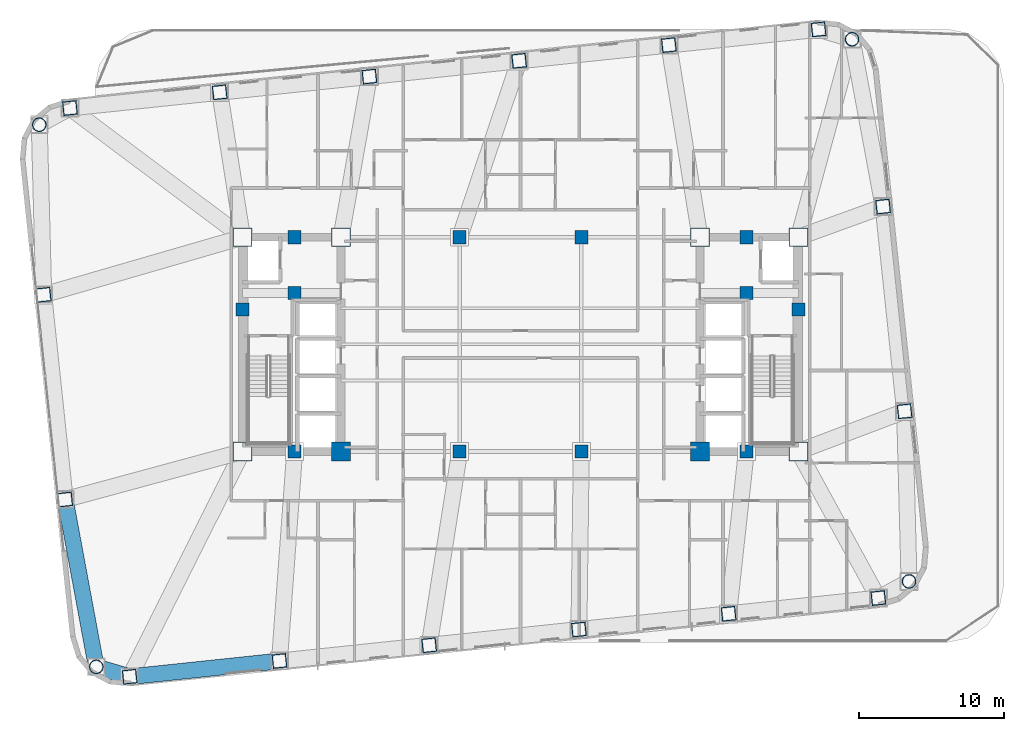
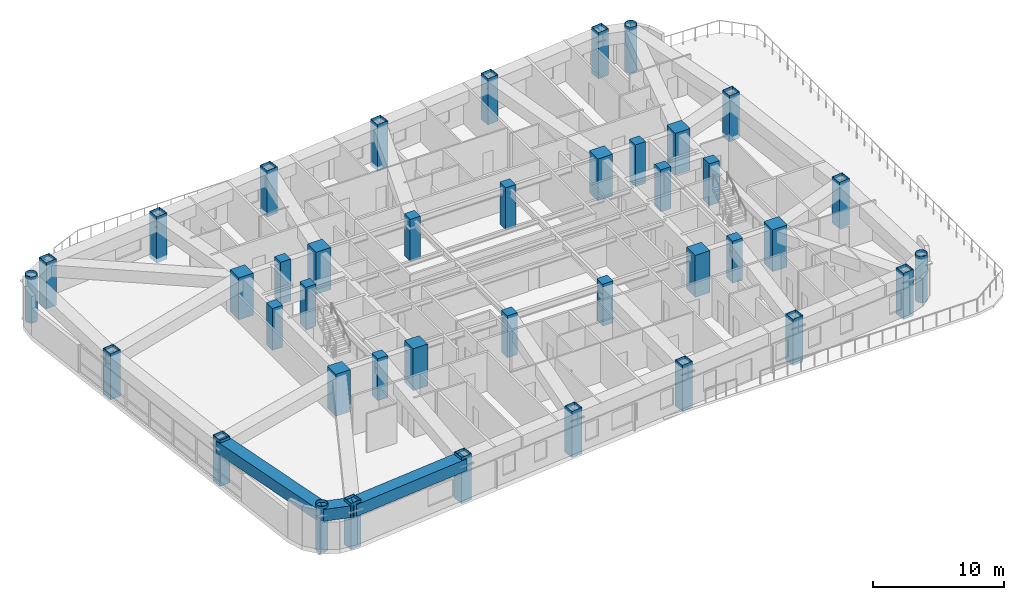
# One storey, part 1 of 15: 40 columns, 3 beams.
"""IFC4 building model written with IfcOpenShell, lengths in metres."""

from ifc_helpers import new_model, si_unit, direction, frame, origin, origin_2d, place, context, subcontext, project, spatial, rectangle, hollow_rectangle, hollow_circle, extrude, material, material_profile, profile_set, type_object, element, save


model = new_model("IFC4")

# Units and contexts
model_context = context("Model", 3, precision=1e-05, world=origin(), true_north=direction((0.0, 1.0)))
body_context = subcontext(model_context, "Body", "Model", "MODEL_VIEW")
ifc_project = project(units=[si_unit("LENGTHUNIT", "METRE"), si_unit("AREAUNIT", "SQUARE_METRE"), si_unit("VOLUMEUNIT", "CUBIC_METRE"), si_unit("PLANEANGLEUNIT", "RADIAN"), si_unit("MASSUNIT", "GRAM", prefix="KILO")], contexts=[model_context])

# Site, building, storey
site_placement = place(None, origin())
site = spatial("IfcSite", under=ifc_project, at=site_placement, CompositionType="ELEMENT")
building_placement = place(site_placement, origin())
building = spatial("IfcBuilding", under=site, at=building_placement, Name="Voryun Gate Residences", CompositionType="ELEMENT")
storey_placement = place(building_placement, frame((0.0, 0.0, 140.39990234375)))
storey = spatial("IfcBuildingStorey", under=building, at=storey_placement, Name="L34", CompositionType="ELEMENT", Elevation=140.39990234375)

# Columns
ifc_material_1 = material(Name="Concrete C50/60", Category="concrete")
ifc_material_profile_1 = material_profile(ifc_material_1, rectangle(XDim=0.89990234375, YDim=0.89990234375, at=origin_2d()), Name="RC-900x900")
ifc_profile_set_1 = profile_set([ifc_material_profile_1], Name="Concrete C50/60")
column_type_1 = type_object("IfcColumnType", Name="COL_CORE_900", PredefinedType="COLUMN", material=ifc_profile_set_1)
for number, where, z_axis, x_axis, name in (
    (1, (-19.199951171875, 2.39990234375, 0.0), (0.0, 0.0, 1.0), (1.0, 0.0, 0.0), "L34 Core boundary column WC-MW"),
    (2, (-15.60009765625, -7.39990234375, 0.0), (0.0, 0.0, 1.0), (1.0, 0.0, 0.0), "L34 Core boundary column WC-SM"),
    (3, (-15.60009765625, 7.39990234375, 0.0), (0.0, 0.0, 1.0), (1.0, 0.0, 0.0), "L34 Core boundary column WC-NM"),
    (4, (-15.60009765625, 3.550048828125, 0.0), (0.0, 0.0, 1.0), (1.0, 0.0, 0.0), "L34 Core boundary column WC-MM"),
    (5, (15.60009765625, 3.550048828125, 0.0), (0.0, 0.0, 1.0), (1.0, 0.0, 0.0), "L34 Core boundary column EC-MM"),
    (6, (15.60009765625, -7.39990234375, 0.0), (0.0, 0.0, 1.0), (1.0, 0.0, 0.0), "L34 Core boundary column EC-SM"),
    (7, (15.60009765625, 7.39990234375, 0.0), (0.0, 0.0, 1.0), (1.0, 0.0, 0.0), "L34 Core boundary column EC-NM"),
    (8, (19.199951171875, 2.39990234375, 0.0), (0.0, 0.0, 1.0), (1.0, 0.0, 0.0), "L34 Core boundary column EC-ME"),
    (9, (-4.199951171875, -7.39990234375, 0.0), (0.0, 0.0, 1.0), (1.0, 0.0, 0.0), "L34 Interior spine column SP-WS"),
    (10, (-4.199951171875, 7.39990234375, 0.0), (0.0, 0.0, 1.0), (1.0, 0.0, 0.0), "L34 Interior spine column SP-WN"),
    (11, (4.199951171875, -7.39990234375, 0.0), (0.0, 0.0, 1.0), (1.0, 0.0, 0.0), "L34 Interior spine column SP-ES"),
    (12, (4.199951171875, 7.39990234375, 0.0), (0.0, 0.0, 1.0), (1.0, 0.0, 0.0), "L34 Interior spine column SP-EN"),
):
    element("IfcColumn", number, at=place(storey_placement, frame(where, z_axis=z_axis, x_axis=x_axis)), inside=storey, type_object=column_type_1, Name=name, PredefinedType="COLUMN", context=body_context, shape_type="SweptSolid", body=[
        extrude(rectangle(XDim=0.89990234375, YDim=0.89990234375, at=origin_2d()), origin(), (0.0, 0.0, 1.0), 3.900146484375),
    ])
ifc_material_2 = material(Name="Steel SM420", Category="steel")
ifc_material_profile_2 = material_profile(ifc_material_2, hollow_circle(Radius=0.47509765625, WallThickness=0.031982421875, at=origin_2d()), Name="CHS-950x32")
ifc_profile_set_2 = profile_set([ifc_material_profile_2], Name="Steel SM420")
column_type_2 = type_object("IfcColumnType", Name="COL_CRN_950", PredefinedType="COLUMN", material=ifc_profile_set_2)
for number, where, z_axis, x_axis, name in (
    (13, (26.8408203125, -16.373779296875, -0.39990234375), (0.0, 0.0, 1.0), (0.994521895368, 0.104528463268, 0.0), "L34 Exoskeleton column CSE"),
    (14, (22.90478515625, 21.07470703125, -0.39990234375), (0.0, 0.0, 1.0), (0.994521895368, 0.104528463268, 0.0), "L34 Exoskeleton column CNE"),
    (15, (-33.24072265625, 15.173583984375, -0.39990234375), (0.0, 0.0, 1.0), (0.994521895368, 0.104528463268, 0.0), "L34 Exoskeleton column CNW"),
    (16, (-29.3046875, -22.27490234375, -0.39990234375), (0.0, 0.0, 1.0), (0.994521895368, 0.104528463268, 0.0), "L34 Exoskeleton column CSW"),
):
    element("IfcColumn", number, at=place(storey_placement, frame(where, z_axis=z_axis, x_axis=x_axis)), inside=storey, type_object=column_type_2, Name=name, PredefinedType="COLUMN", context=body_context, shape_type="SweptSolid", body=[
        extrude(hollow_circle(Radius=0.47509765625, WallThickness=0.031982421875, at=origin_2d()), origin(), (0.0, 0.0, 1.0), 4.300048828125),
    ])
ifc_material_3 = material(Name="Steel SM420", Category="steel")
ifc_material_profile_3 = material_profile(ifc_material_3, hollow_rectangle(XDim=0.949951171875, YDim=0.949951171875, WallThickness=0.031982421875, at=origin_2d()), Name="BOX-950x950x32")
ifc_profile_set_3 = profile_set([ifc_material_profile_3], Name="Steel SM420")
column_type_3 = type_object("IfcColumnType", Name="COL_EXO_B3", PredefinedType="COLUMN", material=ifc_profile_set_3)
for number, where, z_axis, x_axis, name in (
    (17, (-26.9931640625, -22.95947265625, -0.39990234375), (0.0, 0.0, 1.0), (0.994521895368, 0.104528463268, 0.0), "L34 Exoskeleton column S1"),
    (18, (-16.650146484375, -21.87255859375, -0.39990234375), (0.0, 0.0, 1.0), (0.994521895368, 0.104528463268, 0.0), "L34 Exoskeleton column S2"),
    (19, (-6.30712890625, -20.785400390625, -0.39990234375), (0.0, 0.0, 1.0), (0.994521895368, 0.104528463268, 0.0), "L34 Exoskeleton column S3"),
    (20, (4.035888671875, -19.6982421875, -0.39990234375), (0.0, 0.0, 1.0), (0.994521895368, 0.104528463268, 0.0), "L34 Exoskeleton column S4"),
    (21, (14.37890625, -18.611083984375, -0.39990234375), (0.0, 0.0, 1.0), (0.994521895368, 0.104528463268, 0.0), "L34 Exoskeleton column S5"),
    (22, (24.721923828125, -17.524169921875, -0.39990234375), (0.0, 0.0, 1.0), (0.994521895368, 0.104528463268, 0.0), "L34 Exoskeleton column S6"),
    (23, (26.533447265625, -4.6240234375, -0.39990234375), (0.0, 0.0, 1.0), (0.994521895368, 0.104528463268, 0.0), "L34 Exoskeleton column E1"),
    (24, (25.047119140625, 9.51806640625, -0.39990234375), (0.0, 0.0, 1.0), (0.994521895368, 0.104528463268, 0.0), "L34 Exoskeleton column E2"),
    (25, (20.593017578125, 21.759521484375, -0.39990234375), (0.0, 0.0, 1.0), (0.994521895368, 0.104528463268, 0.0), "L34 Exoskeleton column N1"),
    (26, (10.25, 20.67236328125, -0.39990234375), (0.0, 0.0, 1.0), (0.994521895368, 0.104528463268, 0.0), "L34 Exoskeleton column N2"),
    (27, (-0.093017578125, 19.58544921875, -0.39990234375), (0.0, 0.0, 1.0), (0.994521895368, 0.104528463268, 0.0), "L34 Exoskeleton column N3"),
    (28, (-10.43603515625, 18.498291015625, -0.39990234375), (0.0, 0.0, 1.0), (0.994521895368, 0.104528463268, 0.0), "L34 Exoskeleton column N4"),
    (29, (-20.779052734375, 17.4111328125, -0.39990234375), (0.0, 0.0, 1.0), (0.994521895368, 0.104528463268, 0.0), "L34 Exoskeleton column N5"),
    (30, (-31.1220703125, 16.323974609375, -0.39990234375), (0.0, 0.0, 1.0), (0.994521895368, 0.104528463268, 0.0), "L34 Exoskeleton column N6"),
    (31, (-32.93359375, 3.424072265625, -0.39990234375), (0.0, 0.0, 1.0), (0.994521895368, 0.104528463268, 0.0), "L34 Exoskeleton column W1"),
    (32, (-31.447021484375, -10.718017578125, -0.39990234375), (0.0, 0.0, 1.0), (0.994521895368, 0.104528463268, 0.0), "L34 Exoskeleton column W2"),
):
    element("IfcColumn", number, at=place(storey_placement, frame(where, z_axis=z_axis, x_axis=x_axis)), inside=storey, type_object=column_type_3, Name=name, PredefinedType="COLUMN", context=body_context, shape_type="SweptSolid", body=[
        extrude(hollow_rectangle(XDim=0.949951171875, YDim=0.949951171875, WallThickness=0.031982421875, at=origin_2d()), origin(), (0.0, 0.0, 1.0), 4.300048828125),
    ])
ifc_material_4 = material(Name="Concrete C60/75", Category="concrete")
ifc_material_profile_4 = material_profile(ifc_material_4, rectangle(XDim=1.300048828125, YDim=1.300048828125, at=origin_2d()), Name="RC-1300x1300")
ifc_profile_set_4 = profile_set([ifc_material_profile_4], Name="Concrete C60/75")
column_type_4 = type_object("IfcColumnType", Name="COL_MEGA_1300", PredefinedType="COLUMN", material=ifc_profile_set_4)
for number, where, z_axis, x_axis, name in (
    (33, (-19.199951171875, -7.39990234375, 0.0), (0.0, 0.0, 1.0), (1.0, 0.0, 0.0), "L34 Core boundary column WC-SW"),
    (34, (-19.199951171875, 7.39990234375, 0.0), (0.0, 0.0, 1.0), (1.0, 0.0, 0.0), "L34 Core boundary column WC-NW"),
    (35, (-12.39990234375, -7.39990234375, 0.0), (0.0, 0.0, 1.0), (1.0, 0.0, 0.0), "L34 Core boundary column WC-SE"),
    (36, (-12.39990234375, 7.39990234375, 0.0), (0.0, 0.0, 1.0), (1.0, 0.0, 0.0), "L34 Core boundary column WC-NE"),
    (37, (12.39990234375, -7.39990234375, 0.0), (0.0, 0.0, 1.0), (1.0, 0.0, 0.0), "L34 Core boundary column EC-SW"),
    (38, (12.39990234375, 7.39990234375, 0.0), (0.0, 0.0, 1.0), (1.0, 0.0, 0.0), "L34 Core boundary column EC-NW"),
    (39, (19.199951171875, -7.39990234375, 0.0), (0.0, 0.0, 1.0), (1.0, 0.0, 0.0), "L34 Core boundary column EC-SE"),
    (40, (19.199951171875, 7.39990234375, 0.0), (0.0, 0.0, 1.0), (1.0, 0.0, 0.0), "L34 Core boundary column EC-NE"),
):
    element("IfcColumn", number, at=place(storey_placement, frame(where, z_axis=z_axis, x_axis=x_axis)), inside=storey, type_object=column_type_4, Name=name, PredefinedType="COLUMN", context=body_context, shape_type="SweptSolid", body=[
        extrude(rectangle(XDim=1.300048828125, YDim=1.300048828125, at=origin_2d()), origin(), (0.0, 0.0, 1.0), 3.900146484375),
    ])

# Beams
ifc_material_5 = material(Name="Steel SM420", Category="steel")
ifc_material_profile_5 = material_profile(ifc_material_5, hollow_rectangle(XDim=1.10009765625, YDim=1.10009765625, WallThickness=0.035888671875, at=origin_2d()), Name="BOX-1100x1100x36")
ifc_profile_set_5 = profile_set([ifc_material_profile_5], Name="Steel SM420")
beam_type = type_object("IfcBeamType", Name="BM_ARCH_RIB", PredefinedType="USERDEFINED", material=ifc_profile_set_5)
beam_1_placement = place(storey_placement, frame((-26.9931640625, -22.95947265625, 3.10009765625), z_axis=(0.99452370336, 0.10451125994, 0.0), x_axis=(-0.10451125994, 0.99452370336, 0.0)))
element("IfcBeam", 41, at=beam_1_placement, inside=storey, type_object=beam_type, Name="BM-L34-SPAND-01", ObjectType="GIRDER", PredefinedType="USERDEFINED", context=body_context, shape_type="SweptSolid", body=[
    extrude(hollow_rectangle(XDim=1.10009765625, YDim=1.10009765625, WallThickness=0.035888671875, at=origin_2d()), origin(), (0.0, 0.0, 1.0), 10.39990234375),
])
beam_2_placement = place(storey_placement, frame((-31.447021484375, -10.718017578125, 3.10009765625), z_axis=(0.182267768769, -0.983248931079, 0.0), x_axis=(0.983248931079, 0.182267768769, 0.0)))
element("IfcBeam", 42, at=beam_2_placement, inside=storey, type_object=beam_type, Name="BM-L34-SPAND-19", ObjectType="GIRDER", PredefinedType="USERDEFINED", context=body_context, shape_type="SweptSolid", body=[
    extrude(hollow_rectangle(XDim=1.10009765625, YDim=1.10009765625, WallThickness=0.035888671875, at=origin_2d()), origin(), (0.0, 0.0, 1.0), 11.753662109375),
])
beam_3_placement = place(storey_placement, frame((-29.3046875, -22.27490234375, 3.10009765625), z_axis=(0.958834884093, -0.283964196768, 0.0), x_axis=(0.283964196768, 0.958834884093, 0.0)))
element("IfcBeam", 43, at=beam_3_placement, inside=storey, type_object=beam_type, Name="BM-L34-SPAND-20", ObjectType="GIRDER", PredefinedType="USERDEFINED", context=body_context, shape_type="SweptSolid", body=[
    extrude(hollow_rectangle(XDim=1.10009765625, YDim=1.10009765625, WallThickness=0.035888671875, at=origin_2d()), origin(), (0.0, 0.0, 1.0), 2.41064453125),
])

save(model, "model.ifc")
